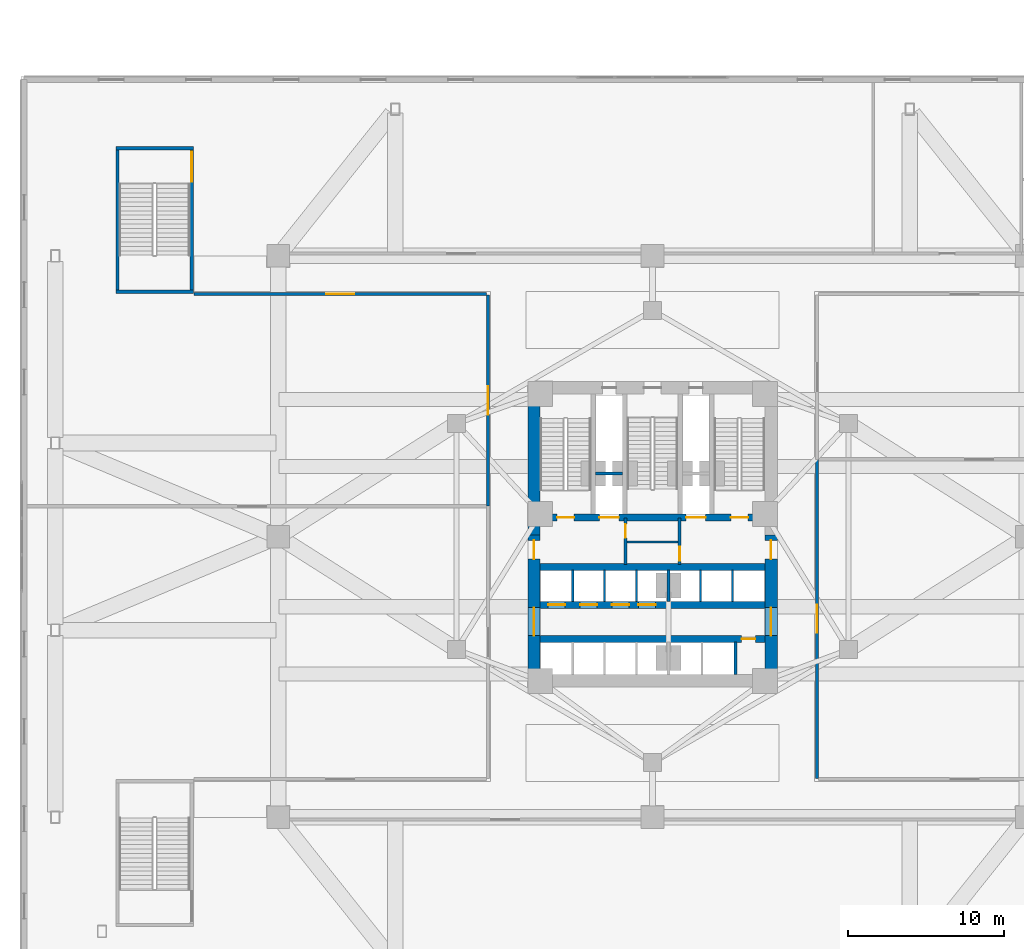
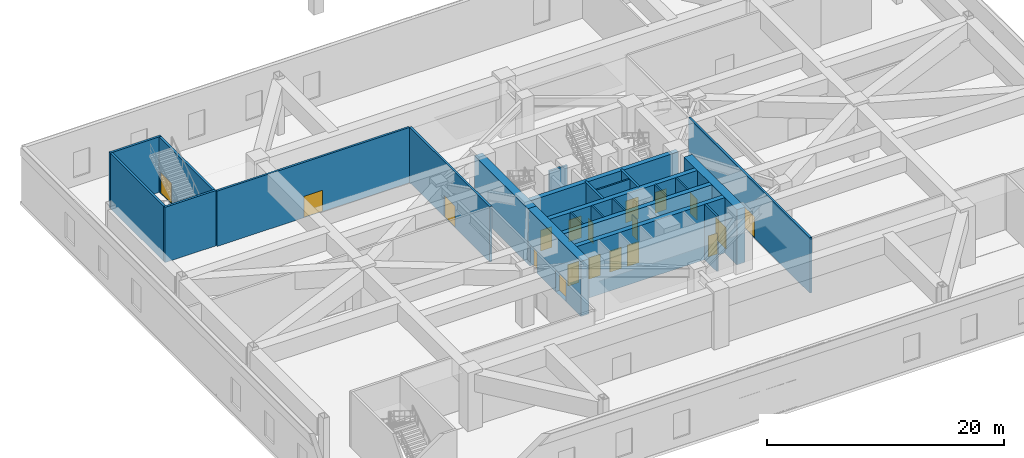
# One storey, part 12 of 24: 25 walls, 19 doors, 19 openings.
"""IFC4 building model written with IfcOpenShell, lengths in metres."""

from ifc_helpers import new_model, si_unit, direction, frame, frame_2d, origin, place, context, subcontext, project, spatial, rectangle, extrude, material, layer, layer_set, type_object, element, fill, save


model = new_model("IFC4")

# Units and contexts
model_context = context("Model", 3, precision=1e-05, world=origin(), true_north=direction((0.0, 1.0)))
body_context = subcontext(model_context, "Body", "Model", "MODEL_VIEW")
ifc_project = project(units=[si_unit("LENGTHUNIT", "METRE"), si_unit("AREAUNIT", "SQUARE_METRE"), si_unit("VOLUMEUNIT", "CUBIC_METRE"), si_unit("PLANEANGLEUNIT", "RADIAN"), si_unit("MASSUNIT", "GRAM", prefix="KILO")], contexts=[model_context])

# Site, building, storey
site_placement = place(None, origin())
site = spatial("IfcSite", under=ifc_project, at=site_placement, CompositionType="ELEMENT")
building_placement = place(site_placement, origin())
building = spatial("IfcBuilding", under=site, at=building_placement, Name="Apsidion Concourse Tower", CompositionType="ELEMENT")
storey_placement = place(building_placement, frame((0.0, 0.0, 17.5)))
storey = spatial("IfcBuildingStorey", under=building, at=storey_placement, Name="L03", CompositionType="ELEMENT", Elevation=17.5)

# Walls
ifc_material_1 = material(Name="Gypsum plasterboard partition")
ifc_layer_1 = layer(ifc_material_1, 0.14990234375)
ifc_layer_set_1 = layer_set([ifc_layer_1], Name="Gypsum plasterboard partition")
wall_type_1 = type_object("IfcWallType", Name="WL-INT-PAR-150", PredefinedType="PARTITIONING", material=ifc_layer_set_1)
for number, where, z_axis, x_axis, name in (
    (1, (-5.125, -4.179931640625, 0.0), (0.0, 0.0, 1.0), (0.0, 1.0, 0.0), "L03 Interior Partition WL-L03-B1DIV-1"),
    (2, (-3.074951171875, -4.179931640625, 0.0), (0.0, 0.0, 1.0), (0.0, 1.0, 0.0), "L03 Interior Partition WL-L03-B1DIV-2"),
    (3, (-1.02490234375, -4.179931640625, 0.0), (0.0, 0.0, 1.0), (0.0, 1.0, 0.0), "L03 Interior Partition WL-L03-B1DIV-3"),
    (4, (3.074951171875, -4.179931640625, 0.0), (0.0, 0.0, 1.0), (0.0, 1.0, 0.0), "L03 Interior Partition WL-L03-B3DIV-1"),
    (5, (5.125, -4.179931640625, 0.0), (0.0, 0.0, 1.0), (0.0, 1.0, 0.0), "L03 Interior Partition WL-L03-B3DIV-2"),
):
    element("IfcWall", number, at=place(storey_placement, frame(where, z_axis=z_axis, x_axis=x_axis)), inside=storey, type_object=wall_type_1, Name=name, PredefinedType="PARTITIONING", context=body_context, shape_type="SweptSolid", body=[
        extrude(rectangle(XDim=2.030029296875, YDim=0.14990234375, at=frame_2d((1.01513671875, 0.0))), origin(), (0.0, 0.0, 1.0), 5.699951171875),
    ])
wall_1_placement = place(storey_placement, frame((-1.6298828125, -0.35009765625, 0.0), z_axis=(0.0, 0.0, 1.0), x_axis=(1.0, 0.0, 0.0)))
element("IfcWall", 6, at=wall_1_placement, inside=storey, type_object=wall_type_1, Name="L03 Interior Partition WL-L03-K2H", PredefinedType="PARTITIONING", context=body_context, shape_type="SweptSolid", body=[
    extrude(rectangle(XDim=3.259765625, YDim=0.14990234375, at=frame_2d((1.6298828125, 0.0))), origin(), (0.0, 0.0, 1.0), 5.699951171875),
])
ifc_layer_2 = layer(ifc_material_1, 0.179931640625)
ifc_layer_set_2 = layer_set([ifc_layer_2], Name="Gypsum plasterboard partition")
wall_type_2 = type_object("IfcWallType", Name="WL-INT-PAR-180", PredefinedType="PARTITIONING", material=ifc_layer_set_2)
wall_2_placement = place(storey_placement, frame((1.02490234375, -4.179931640625, 0.0), z_axis=(0.0, 0.0, 1.0), x_axis=(0.0, 1.0, 0.0)))
element("IfcWall", 7, at=wall_2_placement, inside=storey, type_object=wall_type_2, Name="L03 Interior Partition WL-L03-B1END", PredefinedType="PARTITIONING", context=body_context, shape_type="SweptSolid", body=[
    extrude(rectangle(XDim=2.030029296875, YDim=0.179931640625, at=frame_2d((1.01513671875, 0.0))), origin(), (0.0, 0.0, 1.0), 4.748046875),
])
wall_3_placement = place(storey_placement, frame((5.324951171875, -8.85009765625, 0.0), z_axis=(0.0, 0.0, 1.0), x_axis=(0.0, 1.0, 0.0)))
element("IfcWall", 8, at=wall_3_placement, inside=storey, type_object=wall_type_2, Name="L03 Interior Partition WL-L03-SHDIV-2", PredefinedType="PARTITIONING", context=body_context, shape_type="SweptSolid", body=[
    extrude(rectangle(XDim=2.080078125, YDim=0.179931640625, at=frame_2d((1.0400390625, 0.0))), origin(), (0.0, 0.0, 1.0), 5.699951171875),
])
ifc_layer_3 = layer(ifc_material_1, 0.199951171875)
ifc_layer_set_3 = layer_set([ifc_layer_3], Name="Gypsum plasterboard partition")
wall_type_3 = type_object("IfcWallType", Name="WL-INT-PAR-200", PredefinedType="PARTITIONING", material=ifc_layer_set_3)
wall_4_placement = place(storey_placement, frame((-3.64990234375, 4.050048828125, 0.0), z_axis=(0.0, 0.0, 1.0), x_axis=(1.0, 0.0, 0.0)))
element("IfcWall", 9, at=wall_4_placement, inside=storey, type_object=wall_type_3, Name="L03 Interior Partition WL-L03-FF1-N", PredefinedType="PARTITIONING", context=body_context, shape_type="SweptSolid", body=[
    extrude(rectangle(XDim=1.72998046875, YDim=0.199951171875, at=frame_2d((0.864990234375, 0.0))), origin(), (0.0, 0.0, 1.0), 5.699951171875),
])

# Wall, opening, door
wall_5_placement = place(storey_placement, frame((-1.739990234375, -1.780029296875, 0.0), z_axis=(0.0, 0.0, 1.0), x_axis=(0.0, 1.0, 0.0)))
wall_5 = element("IfcWall", 10, at=wall_5_placement, inside=storey, type_object=wall_type_3, Name="L03 Interior Partition WL-L03-FF1-E", PredefinedType="PARTITIONING", context=body_context, shape_type="SweptSolid", body=[
    extrude(rectangle(XDim=2.97998046875, YDim=0.199951171875, at=frame_2d((1.489990234375, 0.0))), origin(), (0.0, 0.0, 1.0), 5.699951171875),
])
opening_1_placement = place(wall_5_placement, frame((1.68994140625, 0.0, 0.0)))
opening_1 = element("IfcOpeningElement", 11, at=opening_1_placement, cuts=wall_5, Name="Opening D-05L", PredefinedType="OPENING", context=body_context, shape_type="SweptSolid", body=[
    extrude(rectangle(XDim=0.8798828125, YDim=2.14990234375, at=frame_2d((0.43994140625, 1.074951171875))), frame((0.0, 0.10986328125, 0.0), z_axis=(0.0, -1.0, 0.0), x_axis=(1.0, 0.0, 0.0)), (0.0, 0.0, 1.0), 0.219970703125),
])
ifc_material_2 = material(Name="Brushed stainless steel 316", Category="steel")
door_type_1 = type_object("IfcDoorType", Name="DR-INT-D05L", OperationType="SINGLE_SWING_LEFT", PredefinedType="DOOR", material=ifc_material_2)
door_1_placement = place(opening_1_placement, origin())
door_1 = element("IfcDoor", 12, at=door_1_placement, inside=storey, type_object=door_type_1, Name="L03 Core Staff WC Door", OperationType="SINGLE_SWING_LEFT", OverallHeight=2.14990234375, OverallWidth=0.8798828125, PredefinedType="DOOR", context=body_context, shape_type="SweptSolid", body=[
    extrude(rectangle(XDim=0.8798828125, YDim=2.14990234375, at=frame_2d((0.43994140625, 1.074951171875))), frame((0.0, 0.02490234375, 0.0), z_axis=(0.0, -1.0, 0.0), x_axis=(1.0, 0.0, 0.0)), (0.0, 0.0, 1.0), 0.050048828125),
])
fill(opening_1, door_1)

wall_6_placement = place(storey_placement, frame((1.739990234375, -1.780029296875, 0.0), z_axis=(0.0, 0.0, 1.0), x_axis=(0.0, 1.0, 0.0)))
wall_6 = element("IfcWall", 13, at=wall_6_placement, inside=storey, type_object=wall_type_3, Name="L03 Interior Partition WL-L03-FF2-W", PredefinedType="PARTITIONING", context=body_context, shape_type="SweptSolid", body=[
    extrude(rectangle(XDim=2.97998046875, YDim=0.199951171875, at=frame_2d((1.489990234375, 0.0))), origin(), (0.0, 0.0, 1.0), 5.699951171875),
])
opening_2_placement = place(wall_6_placement, frame((0.239990234375, 0.0, 0.0)))
opening_2 = element("IfcOpeningElement", 14, at=opening_2_placement, cuts=wall_6, Name="Opening D-05R", PredefinedType="OPENING", context=body_context, shape_type="SweptSolid", body=[
    extrude(rectangle(XDim=0.8798828125, YDim=2.14990234375, at=frame_2d((0.43994140625, 1.074951171875))), frame((0.0, 0.10986328125, 0.0), z_axis=(0.0, -1.0, 0.0), x_axis=(1.0, 0.0, 0.0)), (0.0, 0.0, 1.0), 0.219970703125),
])
door_type_2 = type_object("IfcDoorType", Name="DR-INT-D05R", OperationType="SINGLE_SWING_RIGHT", PredefinedType="DOOR", material=ifc_material_2)
door_2_placement = place(opening_2_placement, origin())
door_2 = element("IfcDoor", 15, at=door_2_placement, inside=storey, type_object=door_type_2, Name="L03 Core Supply Store Door", OperationType="SINGLE_SWING_RIGHT", OverallHeight=2.14990234375, OverallWidth=0.8798828125, PredefinedType="DOOR", context=body_context, shape_type="SweptSolid", body=[
    extrude(rectangle(XDim=0.8798828125, YDim=2.14990234375, at=frame_2d((0.43994140625, 1.074951171875))), frame((0.0, 0.02490234375, 0.0), z_axis=(0.0, -1.0, 0.0), x_axis=(1.0, 0.0, 0.0)), (0.0, 0.0, 1.0), 0.050048828125),
])
fill(opening_2, door_2)

wall_7_placement = place(storey_placement, frame((-10.550048828125, 1.949951171875, 0.0), z_axis=(0.0, 0.0, 1.0), x_axis=(0.0, 1.0, 0.0)))
wall_7 = element("IfcWall", 16, at=wall_7_placement, inside=storey, type_object=wall_type_3, Name="L03 Interior Partition WL-L03-W2", PredefinedType="PARTITIONING", context=body_context, shape_type="SweptSolid", body=[
    extrude(rectangle(XDim=13.550048828125, YDim=0.199951171875, at=frame_2d((6.77490234375, 0.0))), origin(), (0.0, 0.0, 1.0), 5.699951171875),
])
opening_3_placement = place(wall_7_placement, frame((5.875, 0.0, 0.0)))
opening_3 = element("IfcOpeningElement", 17, at=opening_3_placement, cuts=wall_7, Name="Opening D-06D", PredefinedType="OPENING", context=body_context, shape_type="SweptSolid", body=[
    extrude(rectangle(XDim=1.800048828125, YDim=2.199951171875, at=frame_2d((0.89990234375, 1.10009765625))), frame((0.0, 0.10986328125, 0.0), z_axis=(0.0, -1.0, 0.0), x_axis=(1.0, 0.0, 0.0)), (0.0, 0.0, 1.0), 0.219970703125),
])
door_type_3 = type_object("IfcDoorType", Name="DR-INT-D06D", OperationType="DOUBLE_DOOR_SINGLE_SWING", PredefinedType="DOOR", material=ifc_material_2)
door_3_placement = place(opening_3_placement, origin())
door_3 = element("IfcDoor", 18, at=door_3_placement, inside=storey, type_object=door_type_3, Name="L03 Convention Door WL-L03-W2", OperationType="DOUBLE_DOOR_SINGLE_SWING", OverallHeight=2.199951171875, OverallWidth=1.800048828125, PredefinedType="DOOR", context=body_context, shape_type="SweptSolid", body=[
    extrude(rectangle(XDim=1.800048828125, YDim=2.199951171875, at=frame_2d((0.89990234375, 1.10009765625))), frame((0.0, 0.02490234375, 0.0), z_axis=(0.0, -1.0, 0.0), x_axis=(1.0, 0.0, 0.0)), (0.0, 0.0, 1.0), 0.050048828125),
])
fill(opening_3, door_3)

wall_8_placement = place(storey_placement, frame((10.550048828125, -15.5, 0.0), z_axis=(0.0, 0.0, 1.0), x_axis=(0.0, 1.0, 0.0)))
wall_8 = element("IfcWall", 19, at=wall_8_placement, inside=storey, type_object=wall_type_3, Name="L03 Interior Partition WL-L03-E1", PredefinedType="PARTITIONING", context=body_context, shape_type="SweptSolid", body=[
    extrude(rectangle(XDim=20.449951171875, YDim=0.199951171875, at=frame_2d((10.22509765625, 0.0))), origin(), (0.0, 0.0, 1.0), 5.699951171875),
])
opening_4_placement = place(wall_8_placement, frame((9.324951171875, 0.0, 0.0)))
opening_4 = element("IfcOpeningElement", 20, at=opening_4_placement, cuts=wall_8, Name="Opening D-06D", PredefinedType="OPENING", context=body_context, shape_type="SweptSolid", body=[
    extrude(rectangle(XDim=1.800048828125, YDim=2.199951171875, at=frame_2d((0.89990234375, 1.10009765625))), frame((0.0, 0.10986328125, 0.0), z_axis=(0.0, -1.0, 0.0), x_axis=(1.0, 0.0, 0.0)), (0.0, 0.0, 1.0), 0.219970703125),
])
door_4_placement = place(opening_4_placement, origin())
door_4 = element("IfcDoor", 21, at=door_4_placement, inside=storey, type_object=door_type_3, Name="L03 Convention Door WL-L03-E1", OperationType="DOUBLE_DOOR_SINGLE_SWING", OverallHeight=2.199951171875, OverallWidth=1.800048828125, PredefinedType="DOOR", context=body_context, shape_type="SweptSolid", body=[
    extrude(rectangle(XDim=1.800048828125, YDim=2.199951171875, at=frame_2d((0.89990234375, 1.10009765625))), frame((0.0, 0.02490234375, 0.0), z_axis=(0.0, -1.0, 0.0), x_axis=(1.0, 0.0, 0.0)), (0.0, 0.0, 1.0), 0.050048828125),
])
fill(opening_4, door_4)

wall_9_placement = place(storey_placement, frame((-29.39990234375, 15.550048828125, 0.0), z_axis=(0.0, 0.0, 1.0), x_axis=(1.0, 0.0, 0.0)))
wall_9 = element("IfcWall", 22, at=wall_9_placement, inside=storey, type_object=wall_type_3, Name="L03 Interior Partition WL-L03-N1", PredefinedType="PARTITIONING", context=body_context, shape_type="SweptSolid", body=[
    extrude(rectangle(XDim=18.75, YDim=0.199951171875, at=frame_2d((9.375, 0.0))), origin(), (0.0, 0.0, 1.0), 5.699951171875),
])
opening_5_placement = place(wall_9_placement, frame((8.47509765625, 0.0, 0.0)))
opening_5 = element("IfcOpeningElement", 23, at=opening_5_placement, cuts=wall_9, Name="Opening D-06D", PredefinedType="OPENING", context=body_context, shape_type="SweptSolid", body=[
    extrude(rectangle(XDim=1.800048828125, YDim=2.199951171875, at=frame_2d((0.89990234375, 1.10009765625))), frame((0.0, 0.10986328125, 0.0), z_axis=(0.0, -1.0, 0.0), x_axis=(1.0, 0.0, 0.0)), (0.0, 0.0, 1.0), 0.219970703125),
])
door_5_placement = place(opening_5_placement, origin())
door_5 = element("IfcDoor", 24, at=door_5_placement, inside=storey, type_object=door_type_3, Name="L03 Convention Door WL-L03-N1", OperationType="DOUBLE_DOOR_SINGLE_SWING", OverallHeight=2.199951171875, OverallWidth=1.800048828125, PredefinedType="DOOR", context=body_context, shape_type="SweptSolid", body=[
    extrude(rectangle(XDim=1.800048828125, YDim=2.199951171875, at=frame_2d((0.89990234375, 1.10009765625))), frame((0.0, 0.02490234375, 0.0), z_axis=(0.0, -1.0, 0.0), x_axis=(1.0, 0.0, 0.0)), (0.0, 0.0, 1.0), 0.050048828125),
])
fill(opening_5, door_5)

# Walls
ifc_material_3 = material(Name="Concrete C50/60", Category="concrete")
ifc_layer_4 = layer(ifc_material_3, 0.219970703125)
ifc_layer_set_4 = layer_set([ifc_layer_4], Name="Concrete C50/60")
wall_type_4 = type_object("IfcWallType", Name="WL-SH-220", PredefinedType="SHEAR", material=ifc_layer_set_4)
for number, where, z_axis, x_axis, name in (
    (25, (-34.419921875, 15.68994140625, 0.0), (0.0, 0.0, 1.0), (1.0, 0.0, 0.0), "L03 Podium Stair ST-P3 Core Shear Wall S"),
    (26, (-34.419921875, 24.909912109375, 0.0), (0.0, 0.0, 1.0), (1.0, 0.0, 0.0), "L03 Podium Stair ST-P3 Core Shear Wall N"),
):
    element("IfcWall", number, at=place(storey_placement, frame(where, z_axis=z_axis, x_axis=x_axis)), inside=storey, type_object=wall_type_4, Name=name, PredefinedType="SHEAR", context=body_context, shape_type="SweptSolid", body=[
        extrude(rectangle(XDim=4.989990234375, YDim=0.219970703125, at=frame_2d((2.4951171875, 0.0))), origin(), (0.0, 0.0, 1.0), 5.699951171875),
    ])
wall_10_placement = place(storey_placement, frame((-34.31005859375, 15.800048828125, 0.0), z_axis=(0.0, 0.0, 1.0), x_axis=(0.0, 1.0, 0.0)))
element("IfcWall", 27, at=wall_10_placement, inside=storey, type_object=wall_type_4, Name="L03 Podium Stair ST-P3 Core Shear Wall W", PredefinedType="SHEAR", context=body_context, shape_type="SweptSolid", body=[
    extrude(rectangle(XDim=9.0, YDim=0.219970703125, at=frame_2d((4.5, 0.0))), origin(), (0.0, 0.0, 1.0), 5.699951171875),
])

# Wall, opening, door
wall_11_placement = place(storey_placement, frame((-29.5400390625, 15.800048828125, 0.0), z_axis=(0.0, 0.0, 1.0), x_axis=(0.0, 1.0, 0.0)))
wall_11 = element("IfcWall", 28, at=wall_11_placement, inside=storey, type_object=wall_type_4, Name="L03 Podium Stair ST-P3 Core Shear Wall E", PredefinedType="SHEAR", context=body_context, shape_type="SweptSolid", body=[
    extrude(rectangle(XDim=9.0, YDim=0.219970703125, at=frame_2d((4.5, 0.0))), origin(), (0.0, 0.0, 1.0), 5.699951171875),
])
opening_6_placement = place(wall_11_placement, frame((6.9599609375, 0.0, 0.0)))
opening_6 = element("IfcOpeningElement", 29, at=opening_6_placement, cuts=wall_11, Name="Opening D-07D", PredefinedType="OPENING", context=body_context, shape_type="SweptSolid", body=[
    extrude(rectangle(XDim=1.89990234375, YDim=2.199951171875, at=frame_2d((0.949951171875, 1.10009765625))), frame((0.0, 0.1201171875, 0.0), z_axis=(0.0, -1.0, 0.0), x_axis=(1.0, 0.0, 0.0)), (0.0, 0.0, 1.0), 0.239990234375),
])
door_type_4 = type_object("IfcDoorType", Name="DR-INT-D07D", OperationType="DOUBLE_DOOR_SINGLE_SWING", PredefinedType="DOOR", material=ifc_material_2)
door_6_placement = place(opening_6_placement, origin())
door_6 = element("IfcDoor", 30, at=door_6_placement, inside=storey, type_object=door_type_4, Name="L03 Podium Exit Stair ST-P3 Entry Door", OperationType="DOUBLE_DOOR_SINGLE_SWING", OverallHeight=2.199951171875, OverallWidth=1.89990234375, PredefinedType="DOOR", context=body_context, shape_type="SweptSolid", body=[
    extrude(rectangle(XDim=1.89990234375, YDim=2.199951171875, at=frame_2d((0.949951171875, 1.10009765625))), frame((0.0, 0.02490234375, 0.0), z_axis=(0.0, -1.0, 0.0), x_axis=(1.0, 0.0, 0.0)), (0.0, 0.0, 1.0), 0.050048828125),
])
fill(opening_6, door_6)

# Wall, openings, doors
ifc_material_4 = material(Name="Concrete C60/75", Category="concrete")
ifc_layer_5 = layer(ifc_material_4, 0.449951171875)
ifc_layer_set_5 = layer_set([ifc_layer_5], Name="Concrete C60/75")
wall_type_5 = type_object("IfcWallType", Name="WL-SH-450", PredefinedType="SHEAR", material=ifc_layer_set_5)
wall_12_placement = place(storey_placement, frame((-7.199951171875, 1.22509765625, 0.0), z_axis=(0.0, 0.0, 1.0), x_axis=(1.0, 0.0, 0.0)))
wall_12 = element("IfcWall", 31, at=wall_12_placement, inside=storey, type_object=wall_type_5, Name="L03 Central Core Shear Wall M1", PredefinedType="SHEAR", context=body_context, shape_type="SweptSolid", body=[
    extrude(rectangle(XDim=14.39990234375, YDim=0.449951171875, at=frame_2d((7.199951171875, 0.0))), origin(), (0.0, 0.0, 1.0), 5.699951171875),
])
opening_7_placement = place(wall_12_placement, frame((3.794921875, 0.0, 0.0)))
opening_7 = element("IfcOpeningElement", 32, at=opening_7_placement, cuts=wall_12, Name="Opening LD-FF", PredefinedType="OPENING", context=body_context, shape_type="SweptSolid", body=[
    extrude(rectangle(XDim=1.25, YDim=2.25, at=frame_2d((0.625, 1.125))), frame((0.0, 0.23486328125, 0.0), z_axis=(0.0, -1.0, 0.0), x_axis=(1.0, 0.0, 0.0)), (0.0, 0.0, 1.0), 0.469970703125),
])
opening_8_placement = place(wall_12_placement, frame((9.35498046875, 0.0, 0.0)))
opening_8 = element("IfcOpeningElement", 33, at=opening_8_placement, cuts=wall_12, Name="Opening LD-FF", PredefinedType="OPENING", context=body_context, shape_type="SweptSolid", body=[
    extrude(rectangle(XDim=1.25, YDim=2.25, at=frame_2d((0.625, 1.125))), frame((0.0, 0.23486328125, 0.0), z_axis=(0.0, -1.0, 0.0), x_axis=(1.0, 0.0, 0.0)), (0.0, 0.0, 1.0), 0.469970703125),
])
opening_9_placement = place(wall_12_placement, frame((1.074951171875, 0.0, 0.0)))
opening_9 = element("IfcOpeningElement", 34, at=opening_9_placement, cuts=wall_12, Name="Opening D-STL", PredefinedType="OPENING", context=body_context, shape_type="SweptSolid", body=[
    extrude(rectangle(XDim=1.10009765625, YDim=2.14990234375, at=frame_2d((0.550048828125, 1.074951171875))), frame((0.0, 0.23486328125, 0.0), z_axis=(0.0, -1.0, 0.0), x_axis=(1.0, 0.0, 0.0)), (0.0, 0.0, 1.0), 0.469970703125),
])
opening_10_placement = place(wall_12_placement, frame((12.22509765625, 0.0, 0.0)))
opening_10 = element("IfcOpeningElement", 35, at=opening_10_placement, cuts=wall_12, Name="Opening D-STR", PredefinedType="OPENING", context=body_context, shape_type="SweptSolid", body=[
    extrude(rectangle(XDim=1.10009765625, YDim=2.14990234375, at=frame_2d((0.550048828125, 1.074951171875))), frame((0.0, 0.23486328125, 0.0), z_axis=(0.0, -1.0, 0.0), x_axis=(1.0, 0.0, 0.0)), (0.0, 0.0, 1.0), 0.469970703125),
])
door_type_5 = type_object("IfcDoorType", Name="DR-INT-ST1L", OperationType="SINGLE_SWING_LEFT", PredefinedType="DOOR", material=ifc_material_2)
door_7_placement = place(opening_9_placement, origin())
door_7 = element("IfcDoor", 36, at=door_7_placement, inside=storey, type_object=door_type_5, Name="L03 Core Exit Stair ST1 Door", OperationType="SINGLE_SWING_LEFT", OverallHeight=2.14990234375, OverallWidth=1.10009765625, PredefinedType="DOOR", context=body_context, shape_type="SweptSolid", body=[
    extrude(rectangle(XDim=1.10009765625, YDim=2.14990234375, at=frame_2d((0.550048828125, 1.074951171875))), frame((0.0, 0.02490234375, 0.0), z_axis=(0.0, -1.0, 0.0), x_axis=(1.0, 0.0, 0.0)), (0.0, 0.0, 1.0), 0.050048828125),
])
fill(opening_9, door_7)
door_type_6 = type_object("IfcDoorType", Name="DR-INT-ST1R", OperationType="SINGLE_SWING_RIGHT", PredefinedType="DOOR", material=ifc_material_2)
door_8_placement = place(opening_10_placement, origin())
door_8 = element("IfcDoor", 37, at=door_8_placement, inside=storey, type_object=door_type_6, Name="L03 Core Exit Stair ST2 Door", OperationType="SINGLE_SWING_RIGHT", OverallHeight=2.14990234375, OverallWidth=1.10009765625, PredefinedType="DOOR", context=body_context, shape_type="SweptSolid", body=[
    extrude(rectangle(XDim=1.10009765625, YDim=2.14990234375, at=frame_2d((0.550048828125, 1.074951171875))), frame((0.0, 0.02490234375, 0.0), z_axis=(0.0, -1.0, 0.0), x_axis=(1.0, 0.0, 0.0)), (0.0, 0.0, 1.0), 0.050048828125),
])
fill(opening_10, door_8)
door_type_7 = type_object("IfcDoorType", Name="DR-LD-FSAE", OperationType="DOUBLE_DOOR_SLIDING", PredefinedType="DOOR", material=ifc_material_2)
door_9_placement = place(opening_7_placement, origin())
door_9 = element("IfcDoor", 38, at=door_9_placement, inside=storey, type_object=door_type_7, Name="L03 Lift Landing Door FF1", OperationType="DOUBLE_DOOR_SLIDING", OverallHeight=2.25, OverallWidth=1.25, PredefinedType="DOOR", context=body_context, shape_type="SweptSolid", body=[
    extrude(rectangle(XDim=1.25, YDim=2.25, at=frame_2d((0.625, 1.125))), frame((0.0, 0.02490234375, 0.0), z_axis=(0.0, -1.0, 0.0), x_axis=(1.0, 0.0, 0.0)), (0.0, 0.0, 1.0), 0.050048828125),
])
fill(opening_7, door_9)
door_10_placement = place(opening_8_placement, origin())
door_10 = element("IfcDoor", 39, at=door_10_placement, inside=storey, type_object=door_type_7, Name="L03 Lift Landing Door FF2", OperationType="DOUBLE_DOOR_SLIDING", OverallHeight=2.25, OverallWidth=1.25, PredefinedType="DOOR", context=body_context, shape_type="SweptSolid", body=[
    extrude(rectangle(XDim=1.25, YDim=2.25, at=frame_2d((0.625, 1.125))), frame((0.0, 0.02490234375, 0.0), z_axis=(0.0, -1.0, 0.0), x_axis=(1.0, 0.0, 0.0)), (0.0, 0.0, 1.0), 0.050048828125),
])
fill(opening_8, door_10)

# Wall
wall_13_placement = place(storey_placement, frame((-7.199951171875, -1.949951171875, 0.0), z_axis=(0.0, 0.0, 1.0), x_axis=(1.0, 0.0, 0.0)))
element("IfcWall", 40, at=wall_13_placement, inside=storey, type_object=wall_type_5, Name="L03 Central Core Shear Wall M2", PredefinedType="SHEAR", context=body_context, shape_type="SweptSolid", body=[
    extrude(rectangle(XDim=14.39990234375, YDim=0.449951171875, at=frame_2d((7.199951171875, 0.0))), origin(), (0.0, 0.0, 1.0), 5.699951171875),
])

# Wall, openings, doors
wall_14_placement = place(storey_placement, frame((-7.199951171875, -4.3798828125, 0.0), z_axis=(0.0, 0.0, 1.0), x_axis=(1.0, 0.0, 0.0)))
wall_14 = element("IfcWall", 41, at=wall_14_placement, inside=storey, type_object=wall_type_5, Name="L03 Central Core Shear Wall LA", PredefinedType="SHEAR", context=body_context, shape_type="SweptSolid", body=[
    extrude(rectangle(XDim=14.39990234375, YDim=0.449951171875, at=frame_2d((7.199951171875, 0.0))), origin(), (0.0, 0.0, 1.0), 5.699951171875),
])
opening_11_placement = place(wall_14_placement, frame((0.5, 0.0, 0.0)))
opening_11 = element("IfcOpeningElement", 42, at=opening_11_placement, cuts=wall_14, Name="Opening LD-P1", PredefinedType="OPENING", context=body_context, shape_type="SweptSolid", body=[
    extrude(rectangle(XDim=1.10009765625, YDim=2.199951171875, at=frame_2d((0.550048828125, 1.10009765625))), frame((0.0, 0.23486328125, 0.0), z_axis=(0.0, -1.0, 0.0), x_axis=(1.0, 0.0, 0.0)), (0.0, 0.0, 1.0), 0.469970703125),
])
opening_12_placement = place(wall_14_placement, frame((2.550048828125, 0.0, 0.0)))
opening_12 = element("IfcOpeningElement", 43, at=opening_12_placement, cuts=wall_14, Name="Opening LD-P1", PredefinedType="OPENING", context=body_context, shape_type="SweptSolid", body=[
    extrude(rectangle(XDim=1.10009765625, YDim=2.199951171875, at=frame_2d((0.550048828125, 1.10009765625))), frame((0.0, 0.23486328125, 0.0), z_axis=(0.0, -1.0, 0.0), x_axis=(1.0, 0.0, 0.0)), (0.0, 0.0, 1.0), 0.469970703125),
])
opening_13_placement = place(wall_14_placement, frame((4.60009765625, 0.0, 0.0)))
opening_13 = element("IfcOpeningElement", 44, at=opening_13_placement, cuts=wall_14, Name="Opening LD-P1", PredefinedType="OPENING", context=body_context, shape_type="SweptSolid", body=[
    extrude(rectangle(XDim=1.10009765625, YDim=2.199951171875, at=frame_2d((0.550048828125, 1.10009765625))), frame((0.0, 0.23486328125, 0.0), z_axis=(0.0, -1.0, 0.0), x_axis=(1.0, 0.0, 0.0)), (0.0, 0.0, 1.0), 0.469970703125),
])
opening_14_placement = place(wall_14_placement, frame((6.300048828125, 0.0, 0.0)))
opening_14 = element("IfcOpeningElement", 45, at=opening_14_placement, cuts=wall_14, Name="Opening LD-P1", PredefinedType="OPENING", context=body_context, shape_type="SweptSolid", body=[
    extrude(rectangle(XDim=1.10009765625, YDim=2.199951171875, at=frame_2d((0.550048828125, 1.10009765625))), frame((0.0, 0.23486328125, 0.0), z_axis=(0.0, -1.0, 0.0), x_axis=(1.0, 0.0, 0.0)), (0.0, 0.0, 1.0), 0.469970703125),
])
door_type_8 = type_object("IfcDoorType", Name="DR-LD-PASS", OperationType="DOUBLE_DOOR_SLIDING", PredefinedType="DOOR", material=ifc_material_2)
door_11_placement = place(opening_11_placement, origin())
door_11 = element("IfcDoor", 46, at=door_11_placement, inside=storey, type_object=door_type_8, Name="L03 Lift Landing Door P1", OperationType="DOUBLE_DOOR_SLIDING", OverallHeight=2.199951171875, OverallWidth=1.10009765625, PredefinedType="DOOR", context=body_context, shape_type="SweptSolid", body=[
    extrude(rectangle(XDim=1.10009765625, YDim=2.199951171875, at=frame_2d((0.550048828125, 1.10009765625))), frame((0.0, 0.02490234375, 0.0), z_axis=(0.0, -1.0, 0.0), x_axis=(1.0, 0.0, 0.0)), (0.0, 0.0, 1.0), 0.050048828125),
])
fill(opening_11, door_11)
door_12_placement = place(opening_12_placement, origin())
door_12 = element("IfcDoor", 47, at=door_12_placement, inside=storey, type_object=door_type_8, Name="L03 Lift Landing Door P2", OperationType="DOUBLE_DOOR_SLIDING", OverallHeight=2.199951171875, OverallWidth=1.10009765625, PredefinedType="DOOR", context=body_context, shape_type="SweptSolid", body=[
    extrude(rectangle(XDim=1.10009765625, YDim=2.199951171875, at=frame_2d((0.550048828125, 1.10009765625))), frame((0.0, 0.02490234375, 0.0), z_axis=(0.0, -1.0, 0.0), x_axis=(1.0, 0.0, 0.0)), (0.0, 0.0, 1.0), 0.050048828125),
])
fill(opening_12, door_12)
door_13_placement = place(opening_13_placement, origin())
door_13 = element("IfcDoor", 48, at=door_13_placement, inside=storey, type_object=door_type_8, Name="L03 Lift Landing Door P3", OperationType="DOUBLE_DOOR_SLIDING", OverallHeight=2.199951171875, OverallWidth=1.10009765625, PredefinedType="DOOR", context=body_context, shape_type="SweptSolid", body=[
    extrude(rectangle(XDim=1.10009765625, YDim=2.199951171875, at=frame_2d((0.550048828125, 1.10009765625))), frame((0.0, 0.02490234375, 0.0), z_axis=(0.0, -1.0, 0.0), x_axis=(1.0, 0.0, 0.0)), (0.0, 0.0, 1.0), 0.050048828125),
])
fill(opening_13, door_13)
door_14_placement = place(opening_14_placement, origin())
door_14 = element("IfcDoor", 49, at=door_14_placement, inside=storey, type_object=door_type_8, Name="L03 Lift Landing Door P4", OperationType="DOUBLE_DOOR_SLIDING", OverallHeight=2.199951171875, OverallWidth=1.10009765625, PredefinedType="DOOR", context=body_context, shape_type="SweptSolid", body=[
    extrude(rectangle(XDim=1.10009765625, YDim=2.199951171875, at=frame_2d((0.550048828125, 1.10009765625))), frame((0.0, 0.02490234375, 0.0), z_axis=(0.0, -1.0, 0.0), x_axis=(1.0, 0.0, 0.0)), (0.0, 0.0, 1.0), 0.050048828125),
])
fill(opening_14, door_14)

# Wall, opening, door
wall_15_placement = place(storey_placement, frame((-7.199951171875, -6.570068359375, 0.0), z_axis=(0.0, 0.0, 1.0), x_axis=(1.0, 0.0, 0.0)))
wall_15 = element("IfcWall", 50, at=wall_15_placement, inside=storey, type_object=wall_type_5, Name="L03 Central Core Shear Wall LB", PredefinedType="SHEAR", context=body_context, shape_type="SweptSolid", body=[
    extrude(rectangle(XDim=14.39990234375, YDim=0.449951171875, at=frame_2d((7.199951171875, 0.0))), origin(), (0.0, 0.0, 1.0), 5.699951171875),
])
opening_15_placement = place(wall_15_placement, frame((12.909912109375, 0.0, 0.0)))
opening_15 = element("IfcOpeningElement", 51, at=opening_15_placement, cuts=wall_15, Name="Opening D-05L", PredefinedType="OPENING", context=body_context, shape_type="SweptSolid", body=[
    extrude(rectangle(XDim=0.8798828125, YDim=2.14990234375, at=frame_2d((0.43994140625, 1.074951171875))), frame((0.0, 0.23486328125, 0.0), z_axis=(0.0, -1.0, 0.0), x_axis=(1.0, 0.0, 0.0)), (0.0, 0.0, 1.0), 0.469970703125),
])
door_15_placement = place(opening_15_placement, origin())
door_15 = element("IfcDoor", 52, at=door_15_placement, inside=storey, type_object=door_type_1, Name="L03 Cleaners Store Door", OperationType="SINGLE_SWING_LEFT", OverallHeight=2.14990234375, OverallWidth=0.8798828125, PredefinedType="DOOR", context=body_context, shape_type="SweptSolid", body=[
    extrude(rectangle(XDim=0.8798828125, YDim=2.14990234375, at=frame_2d((0.43994140625, 1.074951171875))), frame((0.0, 0.02490234375, 0.0), z_axis=(0.0, -1.0, 0.0), x_axis=(1.0, 0.0, 0.0)), (0.0, 0.0, 1.0), 0.050048828125),
])
fill(opening_15, door_15)

# Wall
ifc_layer_6 = layer(ifc_material_4, 0.800048828125)
ifc_layer_set_6 = layer_set([ifc_layer_6], Name="Concrete C60/75")
wall_type_6 = type_object("IfcWallType", Name="WL-SH-800", PredefinedType="SHEAR", material=ifc_layer_set_6)
wall_16_placement = place(storey_placement, frame((-7.60009765625, 0.10009765625, 0.0), z_axis=(0.0, 0.0, 1.0), x_axis=(0.0, 1.0, 0.0)))
element("IfcWall", 53, at=wall_16_placement, inside=storey, type_object=wall_type_6, Name="L03 Central Core Shear Wall WN", PredefinedType="SHEAR", context=body_context, shape_type="SweptSolid", body=[
    extrude(rectangle(XDim=9.0498046875, YDim=0.800048828125, at=frame_2d((4.52490234375, 0.0))), origin(), (0.0, 0.0, 1.0), 5.699951171875),
])

# Wall, openings, doors
wall_17_placement = place(storey_placement, frame((-7.60009765625, -8.85009765625, 0.0), z_axis=(0.0, 0.0, 1.0), x_axis=(0.0, 1.0, 0.0)))
wall_17 = element("IfcWall", 54, at=wall_17_placement, inside=storey, type_object=wall_type_6, Name="L03 Central Core Shear Wall WS", PredefinedType="SHEAR", context=body_context, shape_type="SweptSolid", body=[
    extrude(rectangle(XDim=8.9501953125, YDim=0.800048828125, at=frame_2d((4.47509765625, 0.0))), origin(), (0.0, 0.0, 1.0), 5.699951171875),
])
opening_16_placement = place(wall_17_placement, frame((2.489990234375, 0.0, 0.0)))
opening_16 = element("IfcOpeningElement", 55, at=opening_16_placement, cuts=wall_17, Name="Opening D-06D", PredefinedType="OPENING", context=body_context, shape_type="SweptSolid", body=[
    extrude(rectangle(XDim=1.800048828125, YDim=2.199951171875, at=frame_2d((0.89990234375, 1.10009765625))), frame((0.0, 0.41015625, 0.0), z_axis=(0.0, -1.0, 0.0), x_axis=(1.0, 0.0, 0.0)), (0.0, 0.0, 1.0), 0.820068359375),
])
opening_17_placement = place(wall_17_placement, frame((7.39990234375, 0.0, 0.0)))
opening_17 = element("IfcOpeningElement", 56, at=opening_17_placement, cuts=wall_17, Name="Opening D-FFL", PredefinedType="OPENING", context=body_context, shape_type="SweptSolid", body=[
    extrude(rectangle(XDim=1.199951171875, YDim=2.14990234375, at=frame_2d((0.60009765625, 1.074951171875))), frame((0.0, 0.41015625, 0.0), z_axis=(0.0, -1.0, 0.0), x_axis=(1.0, 0.0, 0.0)), (0.0, 0.0, 1.0), 0.820068359375),
])
door_16_placement = place(opening_16_placement, origin())
door_16 = element("IfcDoor", 57, at=door_16_placement, inside=storey, type_object=door_type_3, Name="L03 Passenger Lift Lobby WS Portal Door", OperationType="DOUBLE_DOOR_SINGLE_SWING", OverallHeight=2.199951171875, OverallWidth=1.800048828125, PredefinedType="DOOR", context=body_context, shape_type="SweptSolid", body=[
    extrude(rectangle(XDim=1.800048828125, YDim=2.199951171875, at=frame_2d((0.89990234375, 1.10009765625))), frame((0.0, 0.02490234375, 0.0), z_axis=(0.0, -1.0, 0.0), x_axis=(1.0, 0.0, 0.0)), (0.0, 0.0, 1.0), 0.050048828125),
])
fill(opening_16, door_16)
door_type_9 = type_object("IfcDoorType", Name="DR-INT-FFL", OperationType="SINGLE_SWING_LEFT", PredefinedType="DOOR", material=ifc_material_2)
door_17_placement = place(opening_17_placement, origin())
door_17 = element("IfcDoor", 58, at=door_17_placement, inside=storey, type_object=door_type_9, Name="L03 Firefighting Lift Lobby FF1 Door", OperationType="SINGLE_SWING_LEFT", OverallHeight=2.14990234375, OverallWidth=1.199951171875, PredefinedType="DOOR", context=body_context, shape_type="SweptSolid", body=[
    extrude(rectangle(XDim=1.199951171875, YDim=2.14990234375, at=frame_2d((0.60009765625, 1.074951171875))), frame((0.0, 0.02490234375, 0.0), z_axis=(0.0, -1.0, 0.0), x_axis=(1.0, 0.0, 0.0)), (0.0, 0.0, 1.0), 0.050048828125),
])
fill(opening_17, door_17)

wall_18_placement = place(storey_placement, frame((7.60009765625, -8.85009765625, 0.0), z_axis=(0.0, 0.0, 1.0), x_axis=(0.0, 1.0, 0.0)))
wall_18 = element("IfcWall", 59, at=wall_18_placement, inside=storey, type_object=wall_type_6, Name="L03 Central Core Shear Wall ES", PredefinedType="SHEAR", context=body_context, shape_type="SweptSolid", body=[
    extrude(rectangle(XDim=8.9501953125, YDim=0.800048828125, at=frame_2d((4.47509765625, 0.0))), origin(), (0.0, 0.0, 1.0), 5.699951171875),
])
opening_18_placement = place(wall_18_placement, frame((2.489990234375, 0.0, 0.0)))
opening_18 = element("IfcOpeningElement", 60, at=opening_18_placement, cuts=wall_18, Name="Opening D-06D", PredefinedType="OPENING", context=body_context, shape_type="SweptSolid", body=[
    extrude(rectangle(XDim=1.800048828125, YDim=2.199951171875, at=frame_2d((0.89990234375, 1.10009765625))), frame((0.0, 0.41015625, 0.0), z_axis=(0.0, -1.0, 0.0), x_axis=(1.0, 0.0, 0.0)), (0.0, 0.0, 1.0), 0.820068359375),
])
opening_19_placement = place(wall_18_placement, frame((7.39990234375, 0.0, 0.0)))
opening_19 = element("IfcOpeningElement", 61, at=opening_19_placement, cuts=wall_18, Name="Opening D-FFR", PredefinedType="OPENING", context=body_context, shape_type="SweptSolid", body=[
    extrude(rectangle(XDim=1.199951171875, YDim=2.14990234375, at=frame_2d((0.60009765625, 1.074951171875))), frame((0.0, 0.41015625, 0.0), z_axis=(0.0, -1.0, 0.0), x_axis=(1.0, 0.0, 0.0)), (0.0, 0.0, 1.0), 0.820068359375),
])
door_18_placement = place(opening_18_placement, origin())
door_18 = element("IfcDoor", 62, at=door_18_placement, inside=storey, type_object=door_type_3, Name="L03 Passenger Lift Lobby ES Portal Door", OperationType="DOUBLE_DOOR_SINGLE_SWING", OverallHeight=2.199951171875, OverallWidth=1.800048828125, PredefinedType="DOOR", context=body_context, shape_type="SweptSolid", body=[
    extrude(rectangle(XDim=1.800048828125, YDim=2.199951171875, at=frame_2d((0.89990234375, 1.10009765625))), frame((0.0, 0.02490234375, 0.0), z_axis=(0.0, -1.0, 0.0), x_axis=(1.0, 0.0, 0.0)), (0.0, 0.0, 1.0), 0.050048828125),
])
fill(opening_18, door_18)
door_type_10 = type_object("IfcDoorType", Name="DR-INT-FFR", OperationType="SINGLE_SWING_RIGHT", PredefinedType="DOOR", material=ifc_material_2)
door_19_placement = place(opening_19_placement, origin())
door_19 = element("IfcDoor", 63, at=door_19_placement, inside=storey, type_object=door_type_10, Name="L03 Firefighting Lift Lobby FF2 Door", OperationType="SINGLE_SWING_RIGHT", OverallHeight=2.14990234375, OverallWidth=1.199951171875, PredefinedType="DOOR", context=body_context, shape_type="SweptSolid", body=[
    extrude(rectangle(XDim=1.199951171875, YDim=2.14990234375, at=frame_2d((0.60009765625, 1.074951171875))), frame((0.0, 0.02490234375, 0.0), z_axis=(0.0, -1.0, 0.0), x_axis=(1.0, 0.0, 0.0)), (0.0, 0.0, 1.0), 0.050048828125),
])
fill(opening_19, door_19)

save(model, "model.ifc")
